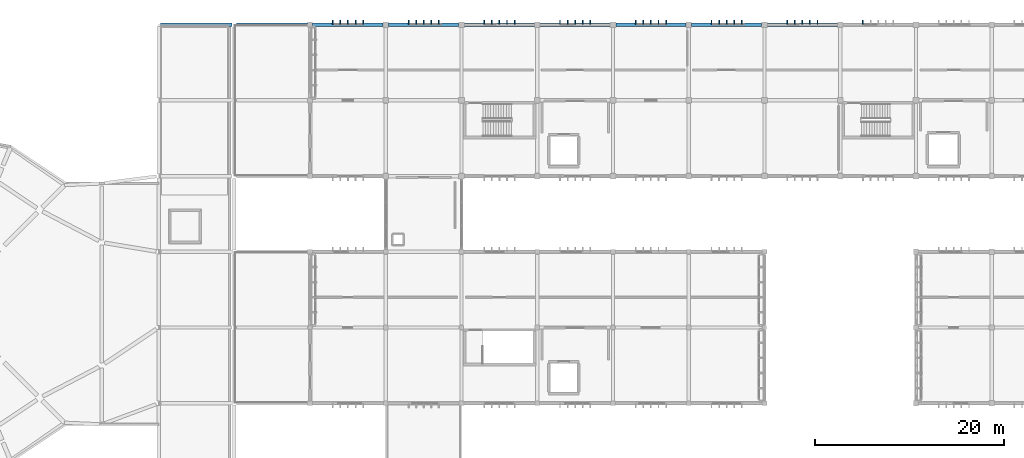
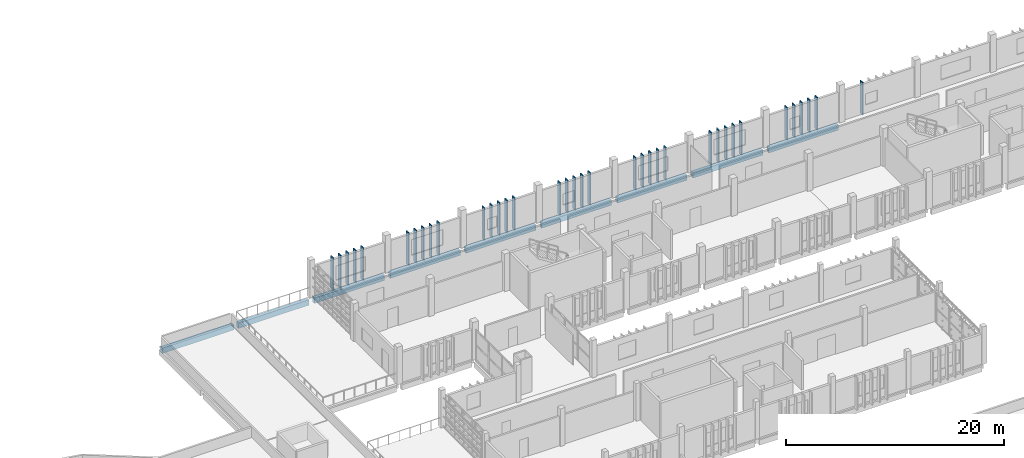
# One storey, part 17 of 48: 36 members, 9 beams.
"""IFC4 building model written with IfcOpenShell, lengths in metres."""

from ifc_helpers import new_model, si_unit, direction, frame, origin, origin_2d, place, context, subcontext, project, spatial, rectangle, extrude, material, material_profile, profile_set, type_object, element, save


model = new_model("IFC4")

# Units and contexts
model_context = context("Model", 3, precision=1e-05, world=origin(), true_north=direction((0.0, 1.0)))
body_context = subcontext(model_context, "Body", "Model", "MODEL_VIEW")
ifc_project = project(units=[si_unit("LENGTHUNIT", "METRE"), si_unit("AREAUNIT", "SQUARE_METRE"), si_unit("VOLUMEUNIT", "CUBIC_METRE"), si_unit("PLANEANGLEUNIT", "RADIAN"), si_unit("MASSUNIT", "GRAM", prefix="KILO")], contexts=[model_context])

# Site, building, storey
site_placement = place(None, origin())
site = spatial("IfcSite", under=ifc_project, at=site_placement, CompositionType="ELEMENT")
building_placement = place(site_placement, origin())
building = spatial("IfcBuilding", under=site, at=building_placement, Name="Jelvoka-Kovrelna Polytechnic", CompositionType="ELEMENT")
storey_placement = place(building_placement, frame((0.0, 0.0, 22.199951171875)))
storey = spatial("IfcBuildingStorey", under=building, at=storey_placement, Name="L06", CompositionType="ELEMENT", Elevation=22.199951171875)

# Members
ifc_material_1 = material(Name="Precast concrete C40/50", Category="concrete")
ifc_material_profile_1 = material_profile(ifc_material_1, rectangle(XDim=0.10009765625, YDim=0.449951171875, at=origin_2d()), Name="PC 100x450")
ifc_profile_set_1 = profile_set([ifc_material_profile_1], Name="Precast concrete C40/50")
member_type = type_object("IfcMemberType", Name="Louvre_Fin_100x450", PredefinedType="USERDEFINED", material=ifc_profile_set_1)
for number, where, z_axis, x_axis, name in (
    (1, (66.39990234375, 72.264892578125, -0.27001953125), (0.0, 0.0, 1.0), (1.0, 0.0, 0.0), "L06 B3 north vertical solar louvre fin 1946"),
    (2, (67.199951171875, 72.264892578125, -0.27001953125), (0.0, 0.0, 1.0), (1.0, 0.0, 0.0), "L06 B3 north vertical solar louvre fin 1947"),
    (3, (68.0, 72.264892578125, -0.27001953125), (0.0, 0.0, 1.0), (1.0, 0.0, 0.0), "L06 B3 north vertical solar louvre fin 1948"),
    (4, (68.800048828125, 72.264892578125, -0.27001953125), (0.0, 0.0, 1.0), (1.0, 0.0, 0.0), "L06 B3 north vertical solar louvre fin 1949"),
    (5, (69.60009765625, 72.264892578125, -0.27001953125), (0.0, 0.0, 1.0), (1.0, 0.0, 0.0), "L06 B3 north vertical solar louvre fin 1950"),
    (6, (74.39990234375, 72.264892578125, -0.27001953125), (0.0, 0.0, 1.0), (1.0, 0.0, 0.0), "L06 B3 north vertical solar louvre fin 1951"),
    (7, (75.199951171875, 72.264892578125, -0.27001953125), (0.0, 0.0, 1.0), (1.0, 0.0, 0.0), "L06 B3 north vertical solar louvre fin 1952"),
    (8, (76.0, 72.264892578125, -0.27001953125), (0.0, 0.0, 1.0), (1.0, 0.0, 0.0), "L06 B3 north vertical solar louvre fin 1953"),
    (9, (76.800048828125, 72.264892578125, -0.27001953125), (0.0, 0.0, 1.0), (1.0, 0.0, 0.0), "L06 B3 north vertical solar louvre fin 1954"),
    (10, (77.60009765625, 72.264892578125, -0.27001953125), (0.0, 0.0, 1.0), (1.0, 0.0, 0.0), "L06 B3 north vertical solar louvre fin 1955"),
    (11, (82.39990234375, 72.264892578125, -0.27001953125), (0.0, 0.0, 1.0), (1.0, 0.0, 0.0), "L06 B3 north vertical solar louvre fin 1961"),
    (12, (83.199951171875, 72.264892578125, -0.27001953125), (0.0, 0.0, 1.0), (1.0, 0.0, 0.0), "L06 B3 north vertical solar louvre fin 1962"),
    (13, (84.0, 72.264892578125, -0.27001953125), (0.0, 0.0, 1.0), (1.0, 0.0, 0.0), "L06 B3 north vertical solar louvre fin 1963"),
    (14, (84.800048828125, 72.264892578125, -0.27001953125), (0.0, 0.0, 1.0), (1.0, 0.0, 0.0), "L06 B3 north vertical solar louvre fin 1964"),
    (15, (85.60009765625, 72.264892578125, -0.27001953125), (0.0, 0.0, 1.0), (1.0, 0.0, 0.0), "L06 B3 north vertical solar louvre fin 1965"),
    (16, (90.39990234375, 72.264892578125, -0.27001953125), (0.0, 0.0, 1.0), (1.0, 0.0, 0.0), "L06 B3 north vertical solar louvre fin 1971"),
    (17, (91.199951171875, 72.264892578125, -0.27001953125), (0.0, 0.0, 1.0), (1.0, 0.0, 0.0), "L06 B3 north vertical solar louvre fin 1972"),
    (18, (92.0, 72.264892578125, -0.27001953125), (0.0, 0.0, 1.0), (1.0, 0.0, 0.0), "L06 B3 north vertical solar louvre fin 1973"),
    (19, (92.800048828125, 72.264892578125, -0.27001953125), (0.0, 0.0, 1.0), (1.0, 0.0, 0.0), "L06 B3 north vertical solar louvre fin 1974"),
    (20, (93.60009765625, 72.264892578125, -0.27001953125), (0.0, 0.0, 1.0), (1.0, 0.0, 0.0), "L06 B3 north vertical solar louvre fin 1975"),
    (21, (98.39990234375, 72.264892578125, -0.27001953125), (0.0, 0.0, 1.0), (1.0, 0.0, 0.0), "L06 B3 north vertical solar louvre fin 1981"),
    (22, (99.199951171875, 72.264892578125, -0.27001953125), (0.0, 0.0, 1.0), (1.0, 0.0, 0.0), "L06 B3 north vertical solar louvre fin 1982"),
    (23, (100.0, 72.264892578125, -0.27001953125), (0.0, 0.0, 1.0), (1.0, 0.0, 0.0), "L06 B3 north vertical solar louvre fin 1983"),
    (24, (100.800048828125, 72.264892578125, -0.27001953125), (0.0, 0.0, 1.0), (1.0, 0.0, 0.0), "L06 B3 north vertical solar louvre fin 1984"),
    (25, (101.60009765625, 72.264892578125, -0.27001953125), (0.0, 0.0, 1.0), (1.0, 0.0, 0.0), "L06 B3 north vertical solar louvre fin 1985"),
    (26, (106.39990234375, 72.264892578125, -0.27001953125), (0.0, 0.0, 1.0), (1.0, 0.0, 0.0), "L06 B3 north vertical solar louvre fin 1991"),
    (27, (107.199951171875, 72.264892578125, -0.27001953125), (0.0, 0.0, 1.0), (1.0, 0.0, 0.0), "L06 B3 north vertical solar louvre fin 1992"),
    (28, (108.0, 72.264892578125, -0.27001953125), (0.0, 0.0, 1.0), (1.0, 0.0, 0.0), "L06 B3 north vertical solar louvre fin 1993"),
    (29, (108.800048828125, 72.264892578125, -0.27001953125), (0.0, 0.0, 1.0), (1.0, 0.0, 0.0), "L06 B3 north vertical solar louvre fin 1994"),
    (30, (109.60009765625, 72.264892578125, -0.27001953125), (0.0, 0.0, 1.0), (1.0, 0.0, 0.0), "L06 B3 north vertical solar louvre fin 1995"),
    (31, (114.39990234375, 72.264892578125, -0.27001953125), (0.0, 0.0, 1.0), (1.0, 0.0, 0.0), "L06 B3 north vertical solar louvre fin 2001"),
    (32, (115.199951171875, 72.264892578125, -0.27001953125), (0.0, 0.0, 1.0), (1.0, 0.0, 0.0), "L06 B3 north vertical solar louvre fin 2002"),
    (33, (116.0, 72.264892578125, -0.27001953125), (0.0, 0.0, 1.0), (1.0, 0.0, 0.0), "L06 B3 north vertical solar louvre fin 2003"),
    (34, (116.800048828125, 72.264892578125, -0.27001953125), (0.0, 0.0, 1.0), (1.0, 0.0, 0.0), "L06 B3 north vertical solar louvre fin 2004"),
    (35, (117.60009765625, 72.264892578125, -0.27001953125), (0.0, 0.0, 1.0), (1.0, 0.0, 0.0), "L06 B3 north vertical solar louvre fin 2005"),
    (36, (122.39990234375, 72.264892578125, -0.27001953125), (0.0, 0.0, 1.0), (1.0, 0.0, 0.0), "L06 B3 north vertical solar louvre fin 2011"),
):
    element("IfcMember", number, at=place(storey_placement, frame(where, z_axis=z_axis, x_axis=x_axis)), inside=storey, type_object=member_type, Name=name, ObjectType="SUNSHADE", PredefinedType="USERDEFINED", context=body_context, shape_type="SweptSolid", body=[
        extrude(rectangle(XDim=0.10009765625, YDim=0.449951171875, at=origin_2d()), origin(), (0.0, 0.0, 1.0), 3.655029296875),
    ])

# Beams
ifc_material_2 = material(Name="Concrete C40/50", Category="concrete")
ifc_material_profile_2 = material_profile(ifc_material_2, rectangle(XDim=0.35009765625, YDim=0.60009765625, at=origin_2d()), Name="RC 350x600")
ifc_profile_set_2 = profile_set([ifc_material_profile_2], Name="Concrete C40/50")
beam_type = type_object("IfcBeamType", Name="Spandrel_RC_350x600", PredefinedType="SPANDREL", material=ifc_profile_set_2)
beam_1_placement = place(storey_placement, frame((64.280029296875, 72.0, -0.5400390625), z_axis=(1.0, 0.0, 0.0), x_axis=(0.0, 1.0, 0.0)))
element("IfcBeam", 37, at=beam_1_placement, inside=storey, type_object=beam_type, Name="L06 beam 1709", PredefinedType="SPANDREL", context=body_context, shape_type="SweptSolid", body=[
    extrude(rectangle(XDim=0.35009765625, YDim=0.60009765625, at=origin_2d()), origin(), (0.0, 0.0, 1.0), 7.4150390625),
])
for number, where, z_axis, x_axis, name in (
    (38, (72.304931640625, 72.0, -0.5400390625), (1.0, 0.0, 0.0), (0.0, 1.0, 0.0), "L06 beam 1710"),
    (39, (80.304931640625, 72.0, -0.5400390625), (1.0, 0.0, 0.0), (0.0, 1.0, 0.0), "L06 beam 1711"),
    (40, (88.304931640625, 72.0, -0.5400390625), (1.0, 0.0, 0.0), (0.0, 1.0, 0.0), "L06 beam 1712"),
    (41, (96.304931640625, 72.0, -0.5400390625), (1.0, 0.0, 0.0), (0.0, 1.0, 0.0), "L06 beam 1713"),
    (42, (104.304931640625, 72.0, -0.5400390625), (1.0, 0.0, 0.0), (0.0, 1.0, 0.0), "L06 beam 1714"),
    (43, (112.304931640625, 72.0, -0.5400390625), (1.0, 0.0, 0.0), (0.0, 1.0, 0.0), "L06 beam 1745"),
):
    element("IfcBeam", number, at=place(storey_placement, frame(where, z_axis=z_axis, x_axis=x_axis)), inside=storey, type_object=beam_type, Name=name, PredefinedType="SPANDREL", context=body_context, shape_type="SweptSolid", body=[
        extrude(rectangle(XDim=0.35009765625, YDim=0.60009765625, at=origin_2d()), origin(), (0.0, 0.0, 1.0), 7.39013671875),
    ])
beam_2_placement = place(storey_placement, frame((56.22998046875, 72.0, -0.52001953125), z_axis=(1.0, 0.0, 0.0), x_axis=(0.0, 1.0, 0.0)))
element("IfcBeam", 44, at=beam_2_placement, inside=storey, type_object=beam_type, Name="L06 beam 1783", PredefinedType="SPANDREL", context=body_context, shape_type="SweptSolid", body=[
    extrude(rectangle(XDim=0.35009765625, YDim=0.60009765625, at=origin_2d()), origin(), (0.0, 0.0, 1.0), 7.489990234375),
])
beam_3_placement = place(storey_placement, frame((48.205078125, 72.0, -0.510009765625), z_axis=(1.0, 0.0, 0.0), x_axis=(0.0, 1.0, 0.0)))
element("IfcBeam", 45, at=beam_3_placement, inside=storey, type_object=beam_type, Name="L06 beam 2165", PredefinedType="SPANDREL", context=body_context, shape_type="SweptSolid", body=[
    extrude(rectangle(XDim=0.35009765625, YDim=0.60009765625, at=origin_2d()), origin(), (0.0, 0.0, 1.0), 7.56494140625),
])

save(model, "model.ifc")
